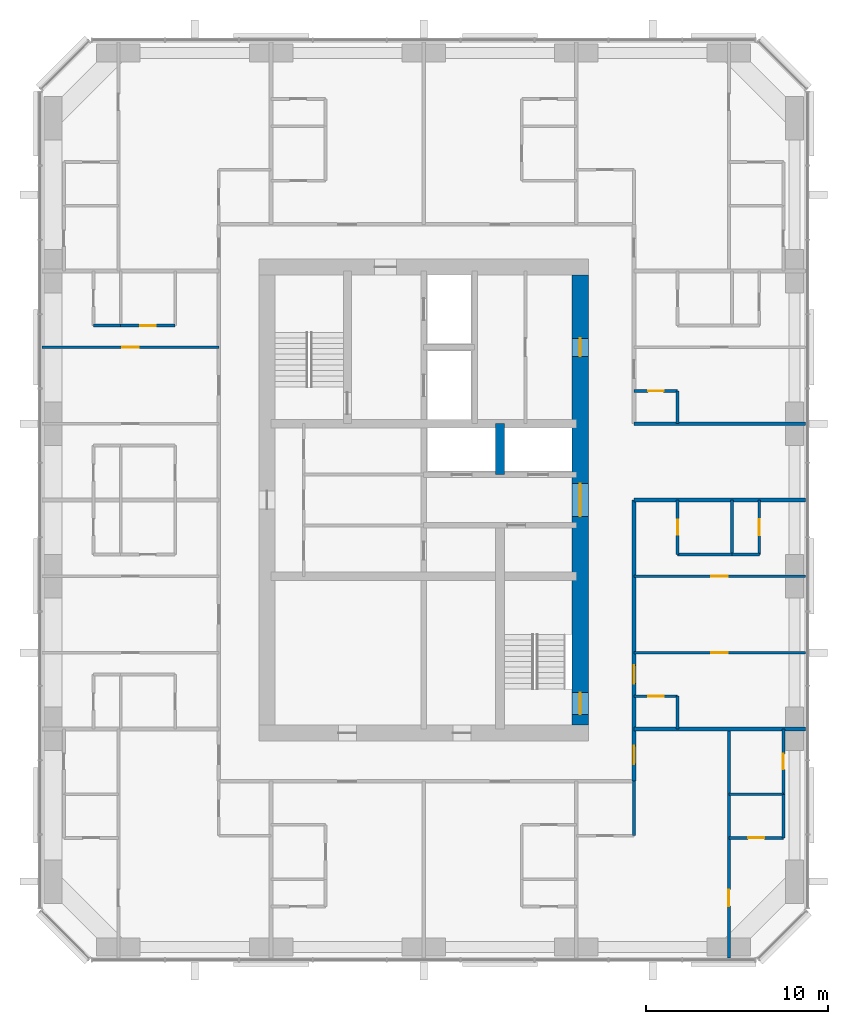
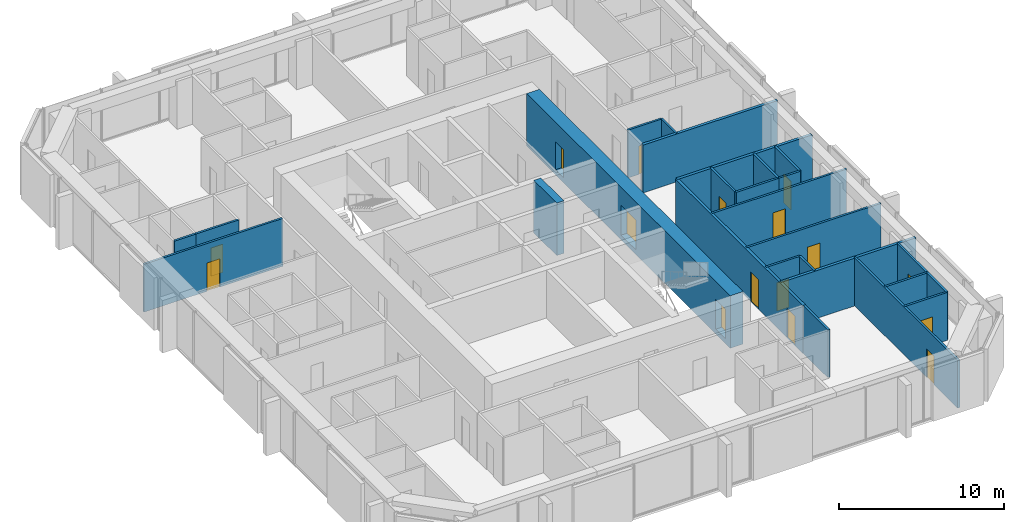
# One storey, part 9 of 12: 26 walls, 16 doors, 16 openings.
"""IFC4 building model written with IfcOpenShell, lengths in metres."""

import ifcopenshell
import ifcopenshell.guid

model = None  # the IFC model being written
_history = None  # IfcOwnerHistory: only IFC2X3 demands one
_inside = {}  # id of a spatial element -> (the spatial element, [elements in it])
_under = {}  # id of a project, library or spatial element -> (it, [spatial elements below it])
_declared = {}  # id of a project -> (the project, [libraries it declares])
_typed = {}  # id of a type object -> (the type object, [elements of that type])
_made_of = {}  # id of a material, layer set ... -> (it, [elements and type objects made of it])


def new_model(schema):
    """Start an empty IFC model of exactly this schema.

    Asked for "IFC4X3", IfcOpenShell would pick the latest addendum, in which some entities
    have other attributes; the version numbers below select the first issue.
    IFC2X3 requires an IfcOwnerHistory on every rooted entity: one is made here for all.
    """
    global model, _history
    if schema == "IFC4X3":
        model = ifcopenshell.file(schema_version=(4, 3, 0, 0))
    else:
        model = ifcopenshell.file(schema=schema)
    _inside.clear()
    _under.clear()
    _declared.clear()
    _typed.clear()
    _made_of.clear()
    _history = None
    if model.schema == "IFC2X3":
        org = make("IfcOrganization", Name="unknown")
        user = make(
            "IfcPersonAndOrganization",
            ThePerson=make("IfcPerson", FamilyName="unknown"),
            TheOrganization=org,
        )
        app = make(
            "IfcApplication",
            ApplicationDeveloper=org,
            Version="unknown",
            ApplicationFullName="unknown",
            ApplicationIdentifier="unknown",
        )
        _history = make(
            "IfcOwnerHistory",
            OwningUser=user,
            OwningApplication=app,
            ChangeAction="ADDED",
            CreationDate=0,
        )
    return model


def make(cls, **values):
    """One entity of the class cls with the attributes given. An attribute that is None is left unset."""
    return model.create_entity(
        cls, **{name: value for name, value in values.items() if value is not None}
    )


def rooted(cls, **values):
    """An entity with a GlobalId (a new one), such as an element, a storey or a relation."""
    return make(cls, GlobalId=ifcopenshell.guid.new(), OwnerHistory=_history, **values)


def si_unit(unit_type, name, prefix=None):
    """IfcSIUnit, for example si_unit("LENGTHUNIT", "METRE", prefix="MILLI")."""
    return make("IfcSIUnit", UnitType=unit_type, Prefix=prefix, Name=name)


def assignment(units):
    """IfcUnitAssignment: the units of a project."""
    return None if units is None else make("IfcUnitAssignment", Units=units)


def point(xyz):
    """IfcCartesianPoint."""
    return None if xyz is None else make("IfcCartesianPoint", Coordinates=xyz)


def direction(xyz):
    """IfcDirection."""
    return None if xyz is None else make("IfcDirection", DirectionRatios=xyz)


def frame(location, z_axis=None, x_axis=None):
    """IfcAxis2Placement3D, a coordinate frame: its origin and axes. An axis left out is left unset."""
    return make(
        "IfcAxis2Placement3D",
        Location=point(location),
        Axis=direction(z_axis),
        RefDirection=direction(x_axis),
    )


def frame_2d(location, x_axis=None):
    """IfcAxis2Placement2D, a coordinate frame in the plane: its origin and x axis."""
    return make(
        "IfcAxis2Placement2D", Location=point(location), RefDirection=direction(x_axis)
    )


def origin():
    """The frame at (0, 0, 0) with its axes left unset."""
    return frame((0.0, 0.0, 0.0))


def place(relative_to, where):
    """IfcLocalPlacement: puts the frame where relative to a parent placement (None: the world)."""
    return make(
        "IfcLocalPlacement", PlacementRelTo=relative_to, RelativePlacement=where
    )


def context(
    kind, dimensions, precision=None, world=None, true_north=None, identifier=None
):
    """IfcGeometricRepresentationContext, for example the 3D "Model" context."""
    return make(
        "IfcGeometricRepresentationContext",
        ContextIdentifier=identifier,
        ContextType=kind,
        CoordinateSpaceDimension=dimensions,
        Precision=precision,
        WorldCoordinateSystem=world,
        TrueNorth=true_north,
    )


def subcontext(parent, identifier, kind, view, scale=None):
    """IfcGeometricRepresentationSubContext, for example "Body" below "Model"."""
    return make(
        "IfcGeometricRepresentationSubContext",
        ContextIdentifier=identifier,
        ContextType=kind,
        ParentContext=parent,
        TargetScale=scale,
        TargetView=view,
    )


def project(units=None, contexts=None):
    """IfcProject with its units and contexts."""
    return rooted(
        "IfcProject",
        Name="project",
        RepresentationContexts=contexts,
        UnitsInContext=assignment(units),
    )


def spatial(cls, under=None, at=None, **own):
    """A site, building, storey or space (cls), placed at a placement, below another one or the project."""
    s = rooted(cls, ObjectPlacement=at, **own)
    if under is not None:
        _under.setdefault(under.id(), (under, []))[1].append(s)
    return s


def profile(cls, at=None, kind="AREA", **sizes):
    """A parametric profile (cls). Its sizes go by their IFC names, for example OverallWidth=200.0."""
    return make(cls, ProfileType=kind, Position=at, **sizes)


def rectangle(**sizes):
    """IfcRectangleProfileDef."""
    return profile("IfcRectangleProfileDef", **sizes)


def extrude(swept, where, along, depth):
    """IfcExtrudedAreaSolid: the profile swept, set in the frame where, extruded along a direction by depth."""
    return make(
        "IfcExtrudedAreaSolid",
        SweptArea=swept,
        Position=where,
        ExtrudedDirection=direction(along),
        Depth=depth,
    )


def shape(context_of_items, identifier, shape_type, items):
    """IfcShapeRepresentation: the items that make up one representation, for example the "Body"."""
    return make(
        "IfcShapeRepresentation",
        ContextOfItems=context_of_items,
        RepresentationIdentifier=identifier,
        RepresentationType=shape_type,
        Items=items,
    )


def material(Name=None, Category=None):
    """IfcMaterial."""
    return make("IfcMaterial", Name=Name, Category=Category)


def layer(
    of_material, thickness, ventilated=None, Name=None, Category=None, Priority=None
):
    """IfcMaterialLayer: one layer of a wall or slab, of a material (None: an air gap)."""
    return make(
        "IfcMaterialLayer",
        Material=of_material,
        LayerThickness=thickness,
        IsVentilated=ventilated,
        Name=Name,
        Category=Category,
        Priority=Priority,
    )


def layer_set(layers, Name=None):
    """IfcMaterialLayerSet."""
    return make("IfcMaterialLayerSet", MaterialLayers=layers, LayerSetName=Name)


def made_of(thing, what):
    """Note that an element or type object is made of a material, layer set ...; save() writes the relation."""
    if what is not None:
        _made_of.setdefault(what.id(), (what, []))[1].append(thing)
    return thing


def type_object(cls, material=None, **own):
    """A type object (cls), such as IfcWallType, which elements share."""
    return made_of(rooted(cls, **own), material)


def element(
    cls,
    number,
    at=None,
    inside=None,
    cuts=None,
    type_object=None,
    material=None,
    context=None,
    identifier="Body",
    shape_type=None,
    held_by="IfcProductDefinitionShape",
    body=None,
    shapes=None,
    **own,
):
    """One element of the class cls, such as IfcWall. Its Tag is "e" and its number.

    at: its placement. inside: the storey or other place that contains it. cuts: it is an
    opening in that element (IfcRelVoidsElement). A single representation is given by context,
    identifier, shape_type and body (its items); several are given by shapes. held_by: the class
    of the entity that holds the representations. save() writes the other relations.
    """
    e = rooted(cls, Tag="e%d" % number, ObjectPlacement=at, **own)
    if body is not None:
        shapes = [shape(context, identifier, shape_type, body)]
    if shapes is not None:
        e.Representation = make(held_by, Representations=shapes)
    if inside is not None:
        _inside.setdefault(inside.id(), (inside, []))[1].append(e)
    if cuts is not None:
        rooted(
            "IfcRelVoidsElement", RelatingBuildingElement=cuts, RelatedOpeningElement=e
        )
    if type_object is not None:
        _typed.setdefault(type_object.id(), (type_object, []))[1].append(e)
    return made_of(e, material)


def fill(opening, filler):
    """IfcRelFillsElement: the door or window that sits in an opening."""
    return rooted(
        "IfcRelFillsElement",
        RelatingOpeningElement=opening,
        RelatedBuildingElement=filler,
    )


def aggregate(whole, parts):
    """IfcRelAggregates: a whole, such as a stair, and the parts it consists of."""
    return rooted("IfcRelAggregates", RelatingObject=whole, RelatedObjects=parts)


def save(model, path):
    """Write the relations noted so far, then the file.

    IfcRelAggregates (storeys below a building ...), IfcRelContainedInSpatialStructure (elements
    in a storey), IfcRelDefinesByType, IfcRelAssociatesMaterial and IfcRelDeclares: one each for
    every whole, place, type object, material and project.
    """
    for whole, parts in _under.values():
        aggregate(whole, parts)
    for where, things in _inside.values():
        rooted(
            "IfcRelContainedInSpatialStructure",
            RelatedElements=things,
            RelatingStructure=where,
        )
    for kind, things in _typed.values():
        rooted("IfcRelDefinesByType", RelatedObjects=things, RelatingType=kind)
    for what, things in _made_of.values():
        rooted("IfcRelAssociatesMaterial", RelatedObjects=things, RelatingMaterial=what)
    for by, libraries in _declared.values():
        rooted("IfcRelDeclares", RelatingContext=by, RelatedDefinitions=libraries)
    model.write(path)


model = new_model("IFC4")

# Units and contexts
model_context = context("Model", 3, precision=1e-05, world=origin(), true_north=direction((0.0, 1.0)))
body_context = subcontext(model_context, "Body", "Model", "MODEL_VIEW")
ifc_project = project(units=[si_unit("LENGTHUNIT", "METRE"), si_unit("AREAUNIT", "SQUARE_METRE"), si_unit("VOLUMEUNIT", "CUBIC_METRE"), si_unit("PLANEANGLEUNIT", "RADIAN"), si_unit("MASSUNIT", "GRAM", prefix="KILO")], contexts=[model_context])

# Site, building, storey
site_placement = place(None, origin())
site = spatial("IfcSite", under=ifc_project, at=site_placement, CompositionType="ELEMENT")
building_placement = place(site_placement, origin())
building = spatial("IfcBuilding", under=site, at=building_placement, Name="Dunama Terrace Hotel", CompositionType="ELEMENT")
storey_placement = place(building_placement, frame((0.0, 0.0, 237.300048828125)))
storey = spatial("IfcBuildingStorey", under=building, at=storey_placement, Name="L61", CompositionType="ELEMENT", Elevation=237.300048828125)

# Walls
ifc_material_1 = material(Name="Gypsum board partition", Category="masonry")
ifc_layer_1 = layer(ifc_material_1, 0.14990234375)
ifc_layer_set_1 = layer_set([ifc_layer_1], Name="Bathroom partition 150")
wall_type_1 = type_object("IfcWallType", Name="Bathroom partition 150", PredefinedType="PARTITIONING", material=ifc_layer_set_1)
wall_1_placement = place(storey_placement, frame((45.175048828125, 10.925048828125, 0.0), z_axis=(0.0, 0.0, 1.0), x_axis=(0.0, 1.0, 0.0)))
element("IfcWall", 1, at=wall_1_placement, inside=storey, type_object=wall_type_1, Name="Bathroom partition 150 L61", PredefinedType="PARTITIONING", context=body_context, shape_type="SweptSolid", body=[
    extrude(rectangle(XDim=3.0, YDim=0.14990234375, at=frame_2d((1.5, 0.0))), origin(), (0.0, 0.0, 1.0), 3.550048828125),
])
wall_2_placement = place(storey_placement, frame((47.574951171875, 16.800048828125, 0.0), z_axis=(0.0, 0.0, 1.0), x_axis=(0.0, 1.0, 0.0)))
element("IfcWall", 2, at=wall_2_placement, inside=storey, type_object=wall_type_1, Name="Bathroom partition 150 L61", PredefinedType="PARTITIONING", context=body_context, shape_type="SweptSolid", body=[
    extrude(rectangle(XDim=1.800048828125, YDim=0.14990234375, at=frame_2d((0.89990234375, 0.0))), origin(), (0.0, 0.0, 1.0), 3.550048828125),
])

# Wall, opening, door
wall_3_placement = place(storey_placement, frame((47.574951171875, 26.39990234375, 0.0), z_axis=(0.0, 0.0, 1.0), x_axis=(0.0, 1.0, 0.0)))
wall_3 = element("IfcWall", 3, at=wall_3_placement, inside=storey, type_object=wall_type_1, Name="Bathroom partition 150 L61", PredefinedType="PARTITIONING", context=body_context, shape_type="SweptSolid", body=[
    extrude(rectangle(XDim=3.0, YDim=0.14990234375, at=frame_2d((1.5, 0.0))), origin(), (0.0, 0.0, 1.0), 3.550048828125),
])
opening_1_placement = place(wall_3_placement, frame((1.074951171875, 0.0, 0.0)))
opening_1 = element("IfcOpeningElement", 4, at=opening_1_placement, cuts=wall_3, Name="Opening L61-017", PredefinedType="OPENING", context=body_context, shape_type="SweptSolid", body=[
    extrude(rectangle(XDim=0.85009765625, YDim=2.10009765625, at=frame_2d((0.425048828125, 1.050048828125))), frame((0.0, 0.0849609375, 0.0), z_axis=(0.0, -1.0, 0.0), x_axis=(1.0, 0.0, 0.0)), (0.0, 0.0, 1.0), 0.169921875),
])
ifc_material_2 = material(Name="Timber door with steel frame", Category="steel")
door_type_1 = type_object("IfcDoorType", Name="Bathroom door 850", OperationType="SINGLE_SWING_LEFT", PredefinedType="DOOR", material=ifc_material_2)
door_1_placement = place(opening_1_placement, frame((0.85009765625, 0.0, 0.0), z_axis=(0.0, 0.0, 1.0), x_axis=(-1.0, 0.0, 0.0)))
door_1 = element("IfcDoor", 5, at=door_1_placement, inside=storey, type_object=door_type_1, Name="Door to en-suite bathroom L61-017, type D2", OperationType="SINGLE_SWING_LEFT", OverallHeight=2.10009765625, OverallWidth=0.85009765625, PredefinedType="DOOR", context=body_context, shape_type="SweptSolid", body=[
    extrude(rectangle(XDim=0.85009765625, YDim=2.10009765625, at=frame_2d((0.425048828125, 1.050048828125))), frame((0.0, 0.025146484375, 0.0), z_axis=(0.0, -1.0, 0.0), x_axis=(1.0, 0.0, 0.0)), (0.0, 0.0, 1.0), 0.050048828125),
])
fill(opening_1, door_1)

# Wall
wall_4_placement = place(storey_placement, frame((47.574951171875, 33.60009765625, 0.0), z_axis=(0.0, 0.0, 1.0), x_axis=(0.0, 1.0, 0.0)))
element("IfcWall", 6, at=wall_4_placement, inside=storey, type_object=wall_type_1, Name="Bathroom partition 150 L61", PredefinedType="PARTITIONING", context=body_context, shape_type="SweptSolid", body=[
    extrude(rectangle(XDim=1.7998046875, YDim=0.14990234375, at=frame_2d((0.89990234375, 0.0))), origin(), (0.0, 0.0, 1.0), 3.550048828125),
])

# Wall, opening, door
wall_5_placement = place(storey_placement, frame((53.39990234375, 13.199951171875, 0.0), z_axis=(0.0, 0.0, 1.0), x_axis=(0.0, 1.0, 0.0)))
wall_5 = element("IfcWall", 7, at=wall_5_placement, inside=storey, type_object=wall_type_1, Name="Bathroom partition 150 L61", PredefinedType="PARTITIONING", context=body_context, shape_type="SweptSolid", body=[
    extrude(rectangle(XDim=3.60009765625, YDim=0.14990234375, at=frame_2d((1.800048828125, 0.0))), origin(), (0.0, 0.0, 1.0), 3.550048828125),
])
opening_2_placement = place(wall_5_placement, frame((1.375, 0.0, 0.0)))
opening_2 = element("IfcOpeningElement", 8, at=opening_2_placement, cuts=wall_5, Name="Opening L61-052", PredefinedType="OPENING", context=body_context, shape_type="SweptSolid", body=[
    extrude(rectangle(XDim=0.85009765625, YDim=2.10009765625, at=frame_2d((0.425048828125, 1.050048828125))), frame((0.0, 0.0849609375, 0.0), z_axis=(0.0, -1.0, 0.0), x_axis=(1.0, 0.0, 0.0)), (0.0, 0.0, 1.0), 0.169921875),
])
door_2_placement = place(opening_2_placement, origin())
door_2 = element("IfcDoor", 9, at=door_2_placement, inside=storey, type_object=door_type_1, Name="Door to en-suite bathroom L61-052, type D2", OperationType="SINGLE_SWING_RIGHT", OverallHeight=2.10009765625, OverallWidth=0.85009765625, PredefinedType="DOOR", context=body_context, shape_type="SweptSolid", body=[
    extrude(rectangle(XDim=0.85009765625, YDim=2.10009765625, at=frame_2d((0.425048828125, 1.050048828125))), frame((0.0, 0.02490234375, 0.0), z_axis=(0.0, -1.0, 0.0), x_axis=(1.0, 0.0, 0.0)), (0.0, 0.0, 1.0), 0.050048828125),
])
fill(opening_2, door_2)

wall_6_placement = place(storey_placement, frame((45.175048828125, 18.60009765625, 0.0), z_axis=(0.0, 0.0, 1.0), x_axis=(1.0, 0.0, 0.0)))
wall_6 = element("IfcWall", 10, at=wall_6_placement, inside=storey, type_object=wall_type_1, Name="Bathroom partition 150 L61", PredefinedType="PARTITIONING", context=body_context, shape_type="SweptSolid", body=[
    extrude(rectangle(XDim=2.39990234375, YDim=0.14990234375, at=frame_2d((1.199951171875, 0.0))), origin(), (0.0, 0.0, 1.0), 3.550048828125),
])
opening_3_placement = place(wall_6_placement, frame((0.77490234375, 0.0, 0.0)))
opening_3 = element("IfcOpeningElement", 11, at=opening_3_placement, cuts=wall_6, Name="Opening L61-014", PredefinedType="OPENING", context=body_context, shape_type="SweptSolid", body=[
    extrude(rectangle(XDim=0.85009765625, YDim=2.10009765625, at=frame_2d((0.425048828125, 1.050048828125))), frame((0.0, 0.0849609375, 0.0), z_axis=(0.0, -1.0, 0.0), x_axis=(1.0, 0.0, 0.0)), (0.0, 0.0, 1.0), 0.169921875),
])
door_3_placement = place(opening_3_placement, frame((0.85009765625, 0.0, 0.0), z_axis=(0.0, 0.0, 1.0), x_axis=(-1.0, 0.0, 0.0)))
door_3 = element("IfcDoor", 12, at=door_3_placement, inside=storey, type_object=door_type_1, Name="Door to powder room L61-014, type D2", OperationType="SINGLE_SWING_RIGHT", OverallHeight=2.10009765625, OverallWidth=0.85009765625, PredefinedType="DOOR", context=body_context, shape_type="SweptSolid", body=[
    extrude(rectangle(XDim=0.85009765625, YDim=2.10009765625, at=frame_2d((0.425048828125, 1.050048828125))), frame((0.0, 0.025146484375, 0.0), z_axis=(0.0, -1.0, 0.0), x_axis=(1.0, 0.0, 0.0)), (0.0, 0.0, 1.0), 0.050048828125),
])
fill(opening_3, door_3)

# Wall
wall_7_placement = place(storey_placement, frame((47.574951171875, 26.39990234375, 0.0), z_axis=(0.0, 0.0, 1.0), x_axis=(1.0, 0.0, 0.0)))
element("IfcWall", 13, at=wall_7_placement, inside=storey, type_object=wall_type_1, Name="Bathroom partition 150 L61", PredefinedType="PARTITIONING", context=body_context, shape_type="SweptSolid", body=[
    extrude(rectangle(XDim=3.0, YDim=0.14990234375, at=frame_2d((1.5, 0.0))), origin(), (0.0, 0.0, 1.0), 3.550048828125),
])

# Wall, opening, door
wall_8_placement = place(storey_placement, frame((45.175048828125, 35.39990234375, 0.0), z_axis=(0.0, 0.0, 1.0), x_axis=(1.0, 0.0, 0.0)))
wall_8 = element("IfcWall", 14, at=wall_8_placement, inside=storey, type_object=wall_type_1, Name="Bathroom partition 150 L61", PredefinedType="PARTITIONING", context=body_context, shape_type="SweptSolid", body=[
    extrude(rectangle(XDim=2.39990234375, YDim=0.14990234375, at=frame_2d((1.199951171875, 0.0))), origin(), (0.0, 0.0, 1.0), 3.550048828125),
])
opening_4_placement = place(wall_8_placement, frame((0.77490234375, 0.0, 0.0)))
opening_4 = element("IfcOpeningElement", 15, at=opening_4_placement, cuts=wall_8, Name="Opening L61-020", PredefinedType="OPENING", context=body_context, shape_type="SweptSolid", body=[
    extrude(rectangle(XDim=0.85009765625, YDim=2.10009765625, at=frame_2d((0.425048828125, 1.050048828125))), frame((0.0, 0.0849609375, 0.0), z_axis=(0.0, -1.0, 0.0), x_axis=(1.0, 0.0, 0.0)), (0.0, 0.0, 1.0), 0.169921875),
])
door_4_placement = place(opening_4_placement, frame((0.85009765625, 0.0, 0.0), z_axis=(0.0, 0.0, 1.0), x_axis=(-1.0, 0.0, 0.0)))
door_4 = element("IfcDoor", 16, at=door_4_placement, inside=storey, type_object=door_type_1, Name="Door to powder room L61-020, type D2", OperationType="SINGLE_SWING_RIGHT", OverallHeight=2.10009765625, OverallWidth=0.85009765625, PredefinedType="DOOR", context=body_context, shape_type="SweptSolid", body=[
    extrude(rectangle(XDim=0.85009765625, YDim=2.10009765625, at=frame_2d((0.425048828125, 1.050048828125))), frame((0.0, 0.025146484375, 0.0), z_axis=(0.0, -1.0, 0.0), x_axis=(1.0, 0.0, 0.0)), (0.0, 0.0, 1.0), 0.050048828125),
])
fill(opening_4, door_4)

wall_9_placement = place(storey_placement, frame((16.925048828125, 39.0, 0.0), z_axis=(0.0, 0.0, 1.0), x_axis=(1.0, 0.0, 0.0)))
wall_9 = element("IfcWall", 17, at=wall_9_placement, inside=storey, type_object=wall_type_1, Name="Bathroom partition 150 L61", PredefinedType="PARTITIONING", context=body_context, shape_type="SweptSolid", body=[
    extrude(rectangle(XDim=3.0, YDim=0.14990234375, at=frame_2d((1.5, 0.0))), origin(), (0.0, 0.0, 1.0), 3.550048828125),
])
opening_5_placement = place(wall_9_placement, frame((1.074951171875, 0.0, 0.0)))
opening_5 = element("IfcOpeningElement", 18, at=opening_5_placement, cuts=wall_9, Name="Opening L61-039", PredefinedType="OPENING", context=body_context, shape_type="SweptSolid", body=[
    extrude(rectangle(XDim=0.85009765625, YDim=2.10009765625, at=frame_2d((0.425048828125, 1.050048828125))), frame((0.0, 0.0849609375, 0.0), z_axis=(0.0, -1.0, 0.0), x_axis=(1.0, 0.0, 0.0)), (0.0, 0.0, 1.0), 0.169921875),
])
door_5_placement = place(opening_5_placement, origin())
door_5 = element("IfcDoor", 19, at=door_5_placement, inside=storey, type_object=door_type_1, Name="Door to en-suite bathroom L61-039, type D2", OperationType="SINGLE_SWING_LEFT", OverallHeight=2.10009765625, OverallWidth=0.85009765625, PredefinedType="DOOR", context=body_context, shape_type="SweptSolid", body=[
    extrude(rectangle(XDim=0.85009765625, YDim=2.10009765625, at=frame_2d((0.425048828125, 1.050048828125))), frame((0.0, 0.02490234375, 0.0), z_axis=(0.0, -1.0, 0.0), x_axis=(1.0, 0.0, 0.0)), (0.0, 0.0, 1.0), 0.050048828125),
])
fill(opening_5, door_5)

# Wall
ifc_material_3 = material(Name="Concrete C50/60", Category="concrete")
ifc_layer_2 = layer(ifc_material_3, 0.5)
ifc_layer_set_2 = layer_set([ifc_layer_2], Name="Core inner wall 500")
wall_type_2 = type_object("IfcWallType", Name="Core inner wall 500", PredefinedType="SHEAR", material=ifc_layer_set_2)
wall_10_placement = place(storey_placement, frame((37.800048828125, 30.800048828125, -0.35009765625), z_axis=(0.0, 0.0, 1.0), x_axis=(0.0, 1.0, 0.0)))
element("IfcWall", 20, at=wall_10_placement, inside=storey, type_object=wall_type_2, Name="Core inner wall 500 L61", PredefinedType="SHEAR", context=body_context, shape_type="SweptSolid", body=[
    extrude(rectangle(XDim=2.800048828125, YDim=0.5, at=frame_2d((1.39990234375, 0.0))), origin(), (0.0, 0.0, 1.0), 3.900146484375),
])

# Wall, openings, doors
ifc_material_4 = material(Name="Concrete C60/75", Category="concrete")
ifc_layer_3 = layer(ifc_material_4, 0.89990234375)
ifc_layer_set_3 = layer_set([ifc_layer_3], Name="Core wall 900")
wall_type_3 = type_object("IfcWallType", Name="Core wall 900", PredefinedType="SHEAR", material=ifc_layer_set_3)
wall_11_placement = place(storey_placement, frame((42.22509765625, 17.02490234375, -0.35009765625), z_axis=(0.0, 0.0, 1.0), x_axis=(0.0, 1.0, 0.0)))
wall_11 = element("IfcWall", 21, at=wall_11_placement, inside=storey, type_object=wall_type_3, Name="Core wall east L61", PredefinedType="SHEAR", context=body_context, shape_type="SweptSolid", body=[
    extrude(rectangle(XDim=24.75, YDim=0.89990234375, at=frame_2d((12.375, 0.0))), origin(), (0.0, 0.0, 1.0), 3.900146484375),
])
opening_6_placement = place(wall_11_placement, frame((0.574951171875, 0.0, 0.35009765625)))
opening_6 = element("IfcOpeningElement", 22, at=opening_6_placement, cuts=wall_11, Name="Opening L61-002", PredefinedType="OPENING", context=body_context, shape_type="SweptSolid", body=[
    extrude(rectangle(XDim=1.199951171875, YDim=2.199951171875, at=frame_2d((0.60009765625, 1.10009765625))), frame((0.0, 0.4599609375, 0.0), z_axis=(0.0, -1.0, 0.0), x_axis=(1.0, 0.0, 0.0)), (0.0, 0.0, 1.0), 0.919921875),
])
opening_7_placement = place(wall_11_placement, frame((11.47509765625, 0.0, 0.35009765625)))
opening_7 = element("IfcOpeningElement", 23, at=opening_7_placement, cuts=wall_11, Name="Opening L61-070", PredefinedType="OPENING", context=body_context, shape_type="SweptSolid", body=[
    extrude(rectangle(XDim=1.800048828125, YDim=2.199951171875, at=frame_2d((0.89990234375, 1.10009765625))), frame((0.0, 0.4599609375, 0.0), z_axis=(0.0, -1.0, 0.0), x_axis=(1.0, 0.0, 0.0)), (0.0, 0.0, 1.0), 0.919921875),
])
opening_8_placement = place(wall_11_placement, frame((20.27490234375, 0.0, 0.35009765625)))
opening_8 = element("IfcOpeningElement", 24, at=opening_8_placement, cuts=wall_11, Name="Opening L61-072", PredefinedType="OPENING", context=body_context, shape_type="SweptSolid", body=[
    extrude(rectangle(XDim=1.0, YDim=2.10009765625, at=frame_2d((0.5, 1.050048828125))), frame((0.0, 0.4599609375, 0.0), z_axis=(0.0, -1.0, 0.0), x_axis=(1.0, 0.0, 0.0)), (0.0, 0.0, 1.0), 0.919921875),
])
ifc_material_5 = material(Name="Timber door with steel frame", Category="steel")
door_type_2 = type_object("IfcDoorType", Name="Lift lobby double door 1800", OperationType="DOUBLE_DOOR_DOUBLE_SWING", PredefinedType="DOOR", material=ifc_material_5)
door_6_placement = place(opening_7_placement, origin())
door_6 = element("IfcDoor", 25, at=door_6_placement, inside=storey, type_object=door_type_2, Name="Door to lift lobby L61-070, type D3", OperationType="DOUBLE_DOOR_DOUBLE_SWING", OverallHeight=2.199951171875, OverallWidth=1.800048828125, PredefinedType="DOOR", context=body_context, shape_type="SweptSolid", body=[
    extrude(rectangle(XDim=1.800048828125, YDim=2.199951171875, at=frame_2d((0.89990234375, 1.10009765625))), frame((0.0, 0.02490234375, 0.0), z_axis=(0.0, -1.0, 0.0), x_axis=(1.0, 0.0, 0.0)), (0.0, 0.0, 1.0), 0.050048828125),
])
fill(opening_7, door_6)
ifc_material_6 = material(Name="Timber door with steel frame", Category="steel")
door_type_3 = type_object("IfcDoorType", Name="Service door 1000", OperationType="SINGLE_SWING_LEFT", PredefinedType="DOOR", material=ifc_material_6)
door_7_placement = place(opening_8_placement, origin())
door_7 = element("IfcDoor", 26, at=door_7_placement, inside=storey, type_object=door_type_3, Name="Door to guest pantry L61-072, type D7", OperationType="SINGLE_SWING_LEFT", OverallHeight=2.10009765625, OverallWidth=1.0, PredefinedType="DOOR", context=body_context, shape_type="SweptSolid", body=[
    extrude(rectangle(XDim=1.0, YDim=2.10009765625, at=frame_2d((0.5, 1.050048828125))), frame((0.0, 0.02490234375, 0.0), z_axis=(0.0, -1.0, 0.0), x_axis=(1.0, 0.0, 0.0)), (0.0, 0.0, 1.0), 0.050048828125),
])
fill(opening_8, door_7)
ifc_material_7 = material(Name="Timber door with steel frame", Category="steel")
door_type_4 = type_object("IfcDoorType", Name="Stair door 1200", OperationType="SINGLE_SWING_LEFT", PredefinedType="DOOR", material=ifc_material_7)
door_8_placement = place(opening_6_placement, origin())
door_8 = element("IfcDoor", 27, at=door_8_placement, inside=storey, type_object=door_type_4, Name="Stair door ST2 L61-002, type D5", OperationType="SINGLE_SWING_LEFT", OverallHeight=2.199951171875, OverallWidth=1.199951171875, PredefinedType="DOOR", context=body_context, shape_type="SweptSolid", body=[
    extrude(rectangle(XDim=1.199951171875, YDim=2.199951171875, at=frame_2d((0.60009765625, 1.10009765625))), frame((0.0, 0.02490234375, 0.0), z_axis=(0.0, -1.0, 0.0), x_axis=(1.0, 0.0, 0.0)), (0.0, 0.0, 1.0), 0.050048828125),
])
fill(opening_6, door_8)

# Wall
ifc_material_8 = material(Name="Concrete blockwork", Category="masonry")
ifc_layer_4 = layer(ifc_material_8, 0.199951171875)
ifc_layer_set_4 = layer_set([ifc_layer_4], Name="Corridor partition 200")
wall_type_4 = type_object("IfcWallType", Name="Corridor partition 200", PredefinedType="PARTITIONING", material=ifc_layer_set_4)
wall_12_placement = place(storey_placement, frame((45.175048828125, 33.60009765625, 0.0), z_axis=(0.0, 0.0, 1.0), x_axis=(1.0, 0.0, 0.0)))
element("IfcWall", 28, at=wall_12_placement, inside=storey, type_object=wall_type_4, Name="Corridor partition 200 L61", PredefinedType="PARTITIONING", context=body_context, shape_type="SweptSolid", body=[
    extrude(rectangle(XDim=9.44287109375, YDim=0.199951171875, at=frame_2d((4.721435546875, 0.0))), origin(), (0.0, 0.0, 1.0), 3.550048828125),
])

# Wall, openings, doors
wall_13_placement = place(storey_placement, frame((45.175048828125, 29.39990234375, 0.0), z_axis=(0.0, 0.0, 1.0), x_axis=(0.0, -1.0, 0.0)))
wall_13 = element("IfcWall", 29, at=wall_13_placement, inside=storey, type_object=wall_type_4, Name="Corridor partition 200 L61", PredefinedType="PARTITIONING", context=body_context, shape_type="SweptSolid", body=[
    extrude(rectangle(XDim=15.474853515625, YDim=0.199951171875, at=frame_2d((7.7373046875, 0.0))), origin(), (0.0, 0.0, 1.0), 3.550048828125),
])
opening_9_placement = place(wall_13_placement, frame((9.10009765625, 0.0, 0.0)))
opening_9 = element("IfcOpeningElement", 30, at=opening_9_placement, cuts=wall_13, Name="Opening L61-013", PredefinedType="OPENING", context=body_context, shape_type="SweptSolid", body=[
    extrude(rectangle(XDim=1.0, YDim=2.199951171875, at=frame_2d((0.5, 1.10009765625))), frame((0.0, 0.10986328125, 0.0), z_axis=(0.0, -1.0, 0.0), x_axis=(1.0, 0.0, 0.0)), (0.0, 0.0, 1.0), 0.219970703125),
])
opening_10_placement = place(wall_13_placement, frame((13.537109375, 0.0, 0.0)))
opening_10 = element("IfcOpeningElement", 31, at=opening_10_placement, cuts=wall_13, Name="Opening L61-049", PredefinedType="OPENING", context=body_context, shape_type="SweptSolid", body=[
    extrude(rectangle(XDim=1.0, YDim=2.199951171875, at=frame_2d((0.5, 1.10009765625))), frame((0.0, 0.10986328125, 0.0), z_axis=(0.0, -1.0, 0.0), x_axis=(1.0, 0.0, 0.0)), (0.0, 0.0, 1.0), 0.219970703125),
])
ifc_material_9 = material(Name="Timber door with steel frame", Category="steel")
door_type_5 = type_object("IfcDoorType", Name="Guest room door 1000", OperationType="SINGLE_SWING_LEFT", PredefinedType="DOOR", material=ifc_material_9)
door_9_placement = place(opening_9_placement, origin())
door_9 = element("IfcDoor", 32, at=door_9_placement, inside=storey, type_object=door_type_5, Name="Door to ambassador suite living room L61-013, type D1", OperationType="SINGLE_SWING_RIGHT", OverallHeight=2.199951171875, OverallWidth=1.0, PredefinedType="DOOR", context=body_context, shape_type="SweptSolid", body=[
    extrude(rectangle(XDim=1.0, YDim=2.199951171875, at=frame_2d((0.5, 1.10009765625))), frame((0.0, 0.02490234375, 0.0), z_axis=(0.0, -1.0, 0.0), x_axis=(1.0, 0.0, 0.0)), (0.0, 0.0, 1.0), 0.050048828125),
])
fill(opening_9, door_9)
door_10_placement = place(opening_10_placement, origin())
door_10 = element("IfcDoor", 33, at=door_10_placement, inside=storey, type_object=door_type_5, Name="Door to grand corner suite living room L61-049, type D1", OperationType="SINGLE_SWING_LEFT", OverallHeight=2.199951171875, OverallWidth=1.0, PredefinedType="DOOR", context=body_context, shape_type="SweptSolid", body=[
    extrude(rectangle(XDim=1.0, YDim=2.199951171875, at=frame_2d((0.5, 1.10009765625))), frame((0.0, 0.02490234375, 0.0), z_axis=(0.0, -1.0, 0.0), x_axis=(1.0, 0.0, 0.0)), (0.0, 0.0, 1.0), 0.050048828125),
])
fill(opening_10, door_10)

# Walls
wall_14_placement = place(storey_placement, frame((54.617919921875, 29.39990234375, 0.0), z_axis=(0.0, 0.0, 1.0), x_axis=(-1.0, 0.0, 0.0)))
element("IfcWall", 34, at=wall_14_placement, inside=storey, type_object=wall_type_4, Name="Corridor partition 200 L61", PredefinedType="PARTITIONING", context=body_context, shape_type="SweptSolid", body=[
    extrude(rectangle(XDim=9.44287109375, YDim=0.199951171875, at=frame_2d((4.721435546875, 0.0))), origin(), (0.0, 0.0, 1.0), 3.550048828125),
])
ifc_material_10 = material(Name="Concrete blockwork", Category="masonry")
ifc_layer_5 = layer(ifc_material_10, 0.199951171875)
ifc_layer_set_5 = layer_set([ifc_layer_5], Name="Party wall 200")
wall_type_5 = type_object("IfcWallType", Name="Party wall 200", PredefinedType="PARTITIONING", material=ifc_layer_set_5)
wall_15_placement = place(storey_placement, frame((45.175048828125, 16.800048828125, 0.0), z_axis=(0.0, 0.0, 1.0), x_axis=(1.0, 0.0, 0.0)))
element("IfcWall", 35, at=wall_15_placement, inside=storey, type_object=wall_type_5, Name="Party wall 200 L61", PredefinedType="PARTITIONING", context=body_context, shape_type="SweptSolid", body=[
    extrude(rectangle(XDim=9.44287109375, YDim=0.199951171875, at=frame_2d((4.721435546875, 0.0))), origin(), (0.0, 0.0, 1.0), 3.550048828125),
])

# Wall, opening, door
ifc_material_11 = material(Name="Gypsum board partition", Category="masonry")
ifc_layer_6 = layer(ifc_material_11, 0.14990234375)
ifc_layer_set_6 = layer_set([ifc_layer_6], Name="Room partition 150")
wall_type_6 = type_object("IfcWallType", Name="Room partition 150", PredefinedType="PARTITIONING", material=ifc_layer_set_6)
wall_16_placement = place(storey_placement, frame((50.39990234375, 4.181884765625, 0.0), z_axis=(0.0, 0.0, 1.0), x_axis=(0.0, 1.0, 0.0)))
wall_16 = element("IfcWall", 36, at=wall_16_placement, inside=storey, type_object=wall_type_6, Name="Room partition 150 L61", PredefinedType="PARTITIONING", context=body_context, shape_type="SweptSolid", body=[
    extrude(rectangle(XDim=12.6181640625, YDim=0.14990234375, at=frame_2d((6.30908203125, 0.0))), origin(), (0.0, 0.0, 1.0), 3.550048828125),
])
opening_11_placement = place(wall_16_placement, frame((2.867919921875, 0.0, 0.0)))
opening_11 = element("IfcOpeningElement", 37, at=opening_11_placement, cuts=wall_16, Name="Opening L61-051", PredefinedType="OPENING", context=body_context, shape_type="SweptSolid", body=[
    extrude(rectangle(XDim=0.89990234375, YDim=2.10009765625, at=frame_2d((0.449951171875, 1.050048828125))), frame((0.0, 0.0849609375, 0.0), z_axis=(0.0, -1.0, 0.0), x_axis=(1.0, 0.0, 0.0)), (0.0, 0.0, 1.0), 0.169921875),
])
ifc_material_12 = material(Name="Timber door with steel frame", Category="steel")
door_type_6 = type_object("IfcDoorType", Name="Suite internal door 900", OperationType="SINGLE_SWING_LEFT", PredefinedType="DOOR", material=ifc_material_12)
door_11_placement = place(opening_11_placement, frame((0.89990234375, 0.0, 0.0), z_axis=(0.0, 0.0, 1.0), x_axis=(-1.0, 0.0, 0.0)))
door_11 = element("IfcDoor", 38, at=door_11_placement, inside=storey, type_object=door_type_6, Name="Door to grand corner suite bedroom L61-051, type D16", OperationType="SINGLE_SWING_RIGHT", OverallHeight=2.10009765625, OverallWidth=0.89990234375, PredefinedType="DOOR", context=body_context, shape_type="SweptSolid", body=[
    extrude(rectangle(XDim=0.89990234375, YDim=2.10009765625, at=frame_2d((0.449951171875, 1.050048828125))), frame((0.0, 0.025146484375, 0.0), z_axis=(0.0, -1.0, 0.0), x_axis=(1.0, 0.0, 0.0)), (0.0, 0.0, 1.0), 0.050048828125),
])
fill(opening_11, door_11)

# Wall
wall_17_placement = place(storey_placement, frame((50.574951171875, 26.39990234375, 0.0), z_axis=(0.0, 0.0, 1.0), x_axis=(0.0, 1.0, 0.0)))
element("IfcWall", 39, at=wall_17_placement, inside=storey, type_object=wall_type_6, Name="Room partition 150 L61", PredefinedType="PARTITIONING", context=body_context, shape_type="SweptSolid", body=[
    extrude(rectangle(XDim=3.0, YDim=0.14990234375, at=frame_2d((1.5, 0.0))), origin(), (0.0, 0.0, 1.0), 3.550048828125),
])

# Wall, opening, door
wall_18_placement = place(storey_placement, frame((52.074951171875, 26.39990234375, 0.0), z_axis=(0.0, 0.0, 1.0), x_axis=(0.0, 1.0, 0.0)))
wall_18 = element("IfcWall", 40, at=wall_18_placement, inside=storey, type_object=wall_type_6, Name="Room partition 150 L61", PredefinedType="PARTITIONING", context=body_context, shape_type="SweptSolid", body=[
    extrude(rectangle(XDim=3.0, YDim=0.14990234375, at=frame_2d((1.5, 0.0))), origin(), (0.0, 0.0, 1.0), 3.550048828125),
])
opening_12_placement = place(wall_18_placement, frame((1.050048828125, 0.0, 0.0)))
opening_12 = element("IfcOpeningElement", 41, at=opening_12_placement, cuts=wall_18, Name="Opening L61-018", PredefinedType="OPENING", context=body_context, shape_type="SweptSolid", body=[
    extrude(rectangle(XDim=0.89990234375, YDim=2.10009765625, at=frame_2d((0.449951171875, 1.050048828125))), frame((0.0, 0.0849609375, 0.0), z_axis=(0.0, -1.0, 0.0), x_axis=(1.0, 0.0, 0.0)), (0.0, 0.0, 1.0), 0.169921875),
])
door_12_placement = place(opening_12_placement, origin())
door_12 = element("IfcDoor", 42, at=door_12_placement, inside=storey, type_object=door_type_6, Name="Door to walk-in wardrobe L61-018, type D16", OperationType="SINGLE_SWING_LEFT", OverallHeight=2.10009765625, OverallWidth=0.89990234375, PredefinedType="DOOR", context=body_context, shape_type="SweptSolid", body=[
    extrude(rectangle(XDim=0.89990234375, YDim=2.10009765625, at=frame_2d((0.449951171875, 1.050048828125))), frame((0.0, 0.02490234375, 0.0), z_axis=(0.0, -1.0, 0.0), x_axis=(1.0, 0.0, 0.0)), (0.0, 0.0, 1.0), 0.050048828125),
])
fill(opening_12, door_12)

# Wall
wall_19_placement = place(storey_placement, frame((53.39990234375, 10.800048828125, 0.0), z_axis=(0.0, 0.0, 1.0), x_axis=(0.0, 1.0, 0.0)))
element("IfcWall", 43, at=wall_19_placement, inside=storey, type_object=wall_type_6, Name="Room partition 150 L61", PredefinedType="PARTITIONING", context=body_context, shape_type="SweptSolid", body=[
    extrude(rectangle(XDim=2.39990234375, YDim=0.14990234375, at=frame_2d((1.199951171875, 0.0))), origin(), (0.0, 0.0, 1.0), 3.550048828125),
])

# Wall, opening, door
wall_20_placement = place(storey_placement, frame((50.39990234375, 10.800048828125, 0.0), z_axis=(0.0, 0.0, 1.0), x_axis=(1.0, 0.0, 0.0)))
wall_20 = element("IfcWall", 44, at=wall_20_placement, inside=storey, type_object=wall_type_6, Name="Room partition 150 L61", PredefinedType="PARTITIONING", context=body_context, shape_type="SweptSolid", body=[
    extrude(rectangle(XDim=3.0, YDim=0.14990234375, at=frame_2d((1.5, 0.0))), origin(), (0.0, 0.0, 1.0), 3.550048828125),
])
opening_13_placement = place(wall_20_placement, frame((1.050048828125, 0.0, 0.0)))
opening_13 = element("IfcOpeningElement", 45, at=opening_13_placement, cuts=wall_20, Name="Opening L61-053", PredefinedType="OPENING", context=body_context, shape_type="SweptSolid", body=[
    extrude(rectangle(XDim=0.89990234375, YDim=2.10009765625, at=frame_2d((0.449951171875, 1.050048828125))), frame((0.0, 0.0849609375, 0.0), z_axis=(0.0, -1.0, 0.0), x_axis=(1.0, 0.0, 0.0)), (0.0, 0.0, 1.0), 0.169921875),
])
door_13_placement = place(opening_13_placement, origin())
door_13 = element("IfcDoor", 46, at=door_13_placement, inside=storey, type_object=door_type_6, Name="Door to dressing room L61-053, type D16", OperationType="SINGLE_SWING_LEFT", OverallHeight=2.10009765625, OverallWidth=0.89990234375, PredefinedType="DOOR", context=body_context, shape_type="SweptSolid", body=[
    extrude(rectangle(XDim=0.89990234375, YDim=2.10009765625, at=frame_2d((0.449951171875, 1.050048828125))), frame((0.0, 0.02490234375, 0.0), z_axis=(0.0, -1.0, 0.0), x_axis=(1.0, 0.0, 0.0)), (0.0, 0.0, 1.0), 0.050048828125),
])
fill(opening_13, door_13)

# Wall
wall_21_placement = place(storey_placement, frame((50.39990234375, 13.199951171875, 0.0), z_axis=(0.0, 0.0, 1.0), x_axis=(1.0, 0.0, 0.0)))
element("IfcWall", 47, at=wall_21_placement, inside=storey, type_object=wall_type_6, Name="Room partition 150 L61", PredefinedType="PARTITIONING", context=body_context, shape_type="SweptSolid", body=[
    extrude(rectangle(XDim=3.0, YDim=0.14990234375, at=frame_2d((1.5, 0.0))), origin(), (0.0, 0.0, 1.0), 3.550048828125),
])

# Wall, opening, door
wall_22_placement = place(storey_placement, frame((45.175048828125, 21.0, 0.0), z_axis=(0.0, 0.0, 1.0), x_axis=(1.0, 0.0, 0.0)))
wall_22 = element("IfcWall", 48, at=wall_22_placement, inside=storey, type_object=wall_type_6, Name="Room partition 150 L61", PredefinedType="PARTITIONING", context=body_context, shape_type="SweptSolid", body=[
    extrude(rectangle(XDim=9.44287109375, YDim=0.14990234375, at=frame_2d((4.721435546875, 0.0))), origin(), (0.0, 0.0, 1.0), 3.550048828125),
])
opening_14_placement = place(wall_22_placement, frame((4.262939453125, 0.0, 0.0)))
opening_14 = element("IfcOpeningElement", 49, at=opening_14_placement, cuts=wall_22, Name="Opening L61-015", PredefinedType="OPENING", context=body_context, shape_type="SweptSolid", body=[
    extrude(rectangle(XDim=0.89990234375, YDim=2.10009765625, at=frame_2d((0.449951171875, 1.050048828125))), frame((0.0, 0.0849609375, 0.0), z_axis=(0.0, -1.0, 0.0), x_axis=(1.0, 0.0, 0.0)), (0.0, 0.0, 1.0), 0.169921875),
])
door_14_placement = place(opening_14_placement, frame((0.89990234375, 0.0, 0.0), z_axis=(0.0, 0.0, 1.0), x_axis=(-1.0, 0.0, 0.0)))
door_14 = element("IfcDoor", 50, at=door_14_placement, inside=storey, type_object=door_type_6, Name="Door to ambassador suite study L61-015, type D16", OperationType="SINGLE_SWING_RIGHT", OverallHeight=2.10009765625, OverallWidth=0.89990234375, PredefinedType="DOOR", context=body_context, shape_type="SweptSolid", body=[
    extrude(rectangle(XDim=0.89990234375, YDim=2.10009765625, at=frame_2d((0.449951171875, 1.050048828125))), frame((0.0, 0.025146484375, 0.0), z_axis=(0.0, -1.0, 0.0), x_axis=(1.0, 0.0, 0.0)), (0.0, 0.0, 1.0), 0.050048828125),
])
fill(opening_14, door_14)

wall_23_placement = place(storey_placement, frame((45.175048828125, 25.199951171875, 0.0), z_axis=(0.0, 0.0, 1.0), x_axis=(1.0, 0.0, 0.0)))
wall_23 = element("IfcWall", 51, at=wall_23_placement, inside=storey, type_object=wall_type_6, Name="Room partition 150 L61", PredefinedType="PARTITIONING", context=body_context, shape_type="SweptSolid", body=[
    extrude(rectangle(XDim=9.44287109375, YDim=0.14990234375, at=frame_2d((4.721435546875, 0.0))), origin(), (0.0, 0.0, 1.0), 3.550048828125),
])
opening_15_placement = place(wall_23_placement, frame((4.262939453125, 0.0, 0.0)))
opening_15 = element("IfcOpeningElement", 52, at=opening_15_placement, cuts=wall_23, Name="Opening L61-016", PredefinedType="OPENING", context=body_context, shape_type="SweptSolid", body=[
    extrude(rectangle(XDim=0.89990234375, YDim=2.10009765625, at=frame_2d((0.449951171875, 1.050048828125))), frame((0.0, 0.0849609375, 0.0), z_axis=(0.0, -1.0, 0.0), x_axis=(1.0, 0.0, 0.0)), (0.0, 0.0, 1.0), 0.169921875),
])
door_15_placement = place(opening_15_placement, origin())
door_15 = element("IfcDoor", 53, at=door_15_placement, inside=storey, type_object=door_type_6, Name="Door to ambassador suite bedroom L61-016, type D16", OperationType="SINGLE_SWING_LEFT", OverallHeight=2.10009765625, OverallWidth=0.89990234375, PredefinedType="DOOR", context=body_context, shape_type="SweptSolid", body=[
    extrude(rectangle(XDim=0.89990234375, YDim=2.10009765625, at=frame_2d((0.449951171875, 1.050048828125))), frame((0.0, 0.02490234375, 0.0), z_axis=(0.0, -1.0, 0.0), x_axis=(1.0, 0.0, 0.0)), (0.0, 0.0, 1.0), 0.050048828125),
])
fill(opening_15, door_15)

# Wall
wall_24_placement = place(storey_placement, frame((50.574951171875, 26.39990234375, 0.0), z_axis=(0.0, 0.0, 1.0), x_axis=(1.0, 0.0, 0.0)))
element("IfcWall", 54, at=wall_24_placement, inside=storey, type_object=wall_type_6, Name="Room partition 150 L61", PredefinedType="PARTITIONING", context=body_context, shape_type="SweptSolid", body=[
    extrude(rectangle(XDim=1.5, YDim=0.14990234375, at=frame_2d((0.75, 0.0))), origin(), (0.0, 0.0, 1.0), 3.550048828125),
])

# Wall, opening, door
wall_25_placement = place(storey_placement, frame((12.58203125, 37.800048828125, 0.0), z_axis=(0.0, 0.0, 1.0), x_axis=(1.0, 0.0, 0.0)))
wall_25 = element("IfcWall", 55, at=wall_25_placement, inside=storey, type_object=wall_type_6, Name="Room partition 150 L61", PredefinedType="PARTITIONING", context=body_context, shape_type="SweptSolid", body=[
    extrude(rectangle(XDim=9.742919921875, YDim=0.14990234375, at=frame_2d((4.87158203125, 0.0))), origin(), (0.0, 0.0, 1.0), 3.550048828125),
])
opening_16_placement = place(wall_25_placement, frame((4.429931640625, 0.0, 0.0)))
opening_16 = element("IfcOpeningElement", 56, at=opening_16_placement, cuts=wall_25, Name="Opening L61-038", PredefinedType="OPENING", context=body_context, shape_type="SweptSolid", body=[
    extrude(rectangle(XDim=0.89990234375, YDim=2.10009765625, at=frame_2d((0.449951171875, 1.050048828125))), frame((0.0, 0.0849609375, 0.0), z_axis=(0.0, -1.0, 0.0), x_axis=(1.0, 0.0, 0.0)), (0.0, 0.0, 1.0), 0.169921875),
])
door_16_placement = place(opening_16_placement, origin())
door_16 = element("IfcDoor", 57, at=door_16_placement, inside=storey, type_object=door_type_6, Name="Door to two-bedroom suite bedroom L61-038, type D16", OperationType="SINGLE_SWING_LEFT", OverallHeight=2.10009765625, OverallWidth=0.89990234375, PredefinedType="DOOR", context=body_context, shape_type="SweptSolid", body=[
    extrude(rectangle(XDim=0.89990234375, YDim=2.10009765625, at=frame_2d((0.449951171875, 1.050048828125))), frame((0.0, 0.02490234375, 0.0), z_axis=(0.0, -1.0, 0.0), x_axis=(1.0, 0.0, 0.0)), (0.0, 0.0, 1.0), 0.050048828125),
])
fill(opening_16, door_16)

# Wall
wall_26_placement = place(storey_placement, frame((15.425048828125, 39.0, 0.0), z_axis=(0.0, 0.0, 1.0), x_axis=(1.0, 0.0, 0.0)))
element("IfcWall", 58, at=wall_26_placement, inside=storey, type_object=wall_type_6, Name="Room partition 150 L61", PredefinedType="PARTITIONING", context=body_context, shape_type="SweptSolid", body=[
    extrude(rectangle(XDim=1.5, YDim=0.14990234375, at=frame_2d((0.75, 0.0))), origin(), (0.0, 0.0, 1.0), 3.550048828125),
])

save(model, "model.ifc")
